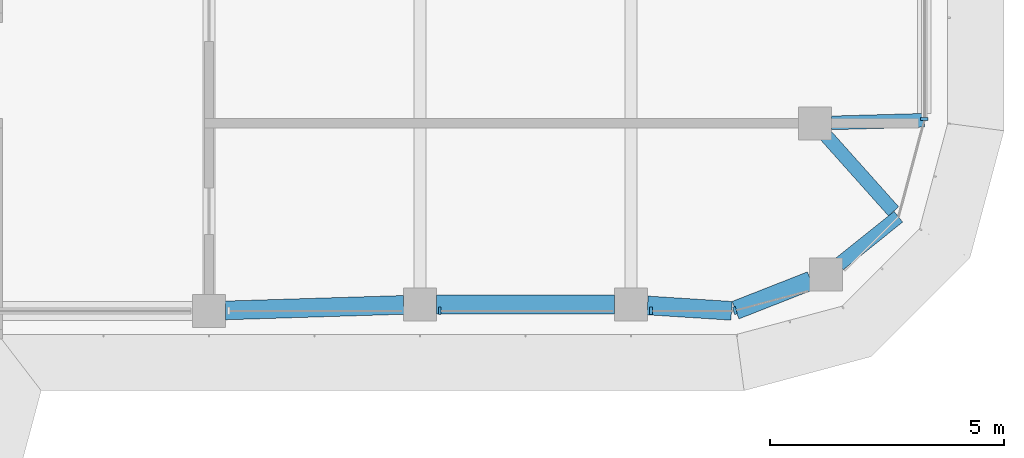
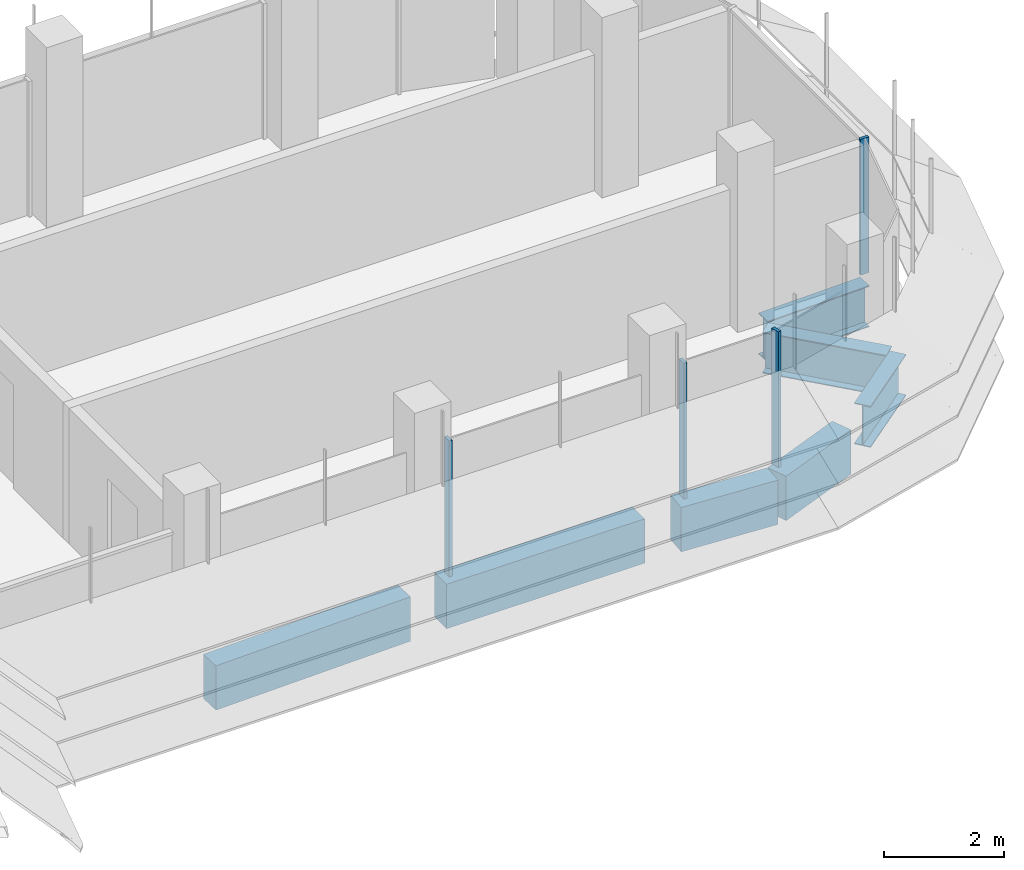
# One storey, part 5 of 19: 7 beams, 4 members, 3 elements without a shape of their own.
"""IFC4 building model written with IfcOpenShell, lengths in metres."""

from ifc_helpers import new_model, si_unit, direction, frame, origin, origin_2d, place, context, subcontext, project, spatial, polyline, rectangle, i_section, outline, extrude, source, transform, mapped, material, material_profile, profile_set, type_object, element, aggregate, save


model = new_model("IFC4")

# Units and contexts
model_context = context("Model", 3, precision=1e-05, world=origin(), true_north=direction((0.0, 1.0)))
body_context = subcontext(model_context, "Body", "Model", "MODEL_VIEW")
ifc_project = project(units=[si_unit("LENGTHUNIT", "METRE"), si_unit("AREAUNIT", "SQUARE_METRE"), si_unit("VOLUMEUNIT", "CUBIC_METRE"), si_unit("PLANEANGLEUNIT", "RADIAN"), si_unit("MASSUNIT", "GRAM", prefix="KILO")], contexts=[model_context])

# Site, building, storey
site_placement = place(None, origin())
site = spatial("IfcSite", under=ifc_project, at=site_placement, CompositionType="ELEMENT")
building_placement = place(site_placement, origin())
building = spatial("IfcBuilding", under=site, at=building_placement, Name="Zarbagh Exchange Tower", CompositionType="ELEMENT")
storey_placement = place(building_placement, frame((0.0, 0.0, 203.0)))
storey = spatial("IfcBuildingStorey", under=building, at=storey_placement, Name="L49", CompositionType="ELEMENT", Elevation=203.0)

# Beams
ifc_material_1 = material(Name="Steel ASTM A992 Gr 50", Category="steel")
ifc_material_profile_1 = material_profile(ifc_material_1, i_section(OverallWidth=0.2919921875, OverallDepth=0.835693359375, WebThickness=0.013916015625, FlangeThickness=0.018798828125, at=origin_2d()), Name="W33X118")
ifc_profile_set_1 = profile_set([ifc_material_profile_1], Name="Steel ASTM A992 Gr 50")
beam_type_1 = type_object("IfcBeamType", Name="Floor girder W33X118", PredefinedType="BEAM", material=ifc_profile_set_1)
beam_1_placement = place(storey_placement, frame((31.0, -2.18408203125, -0.56787109375), z_axis=(-0.999601581355, -0.028225494714, 0.0), x_axis=(0.028225494714, -0.999601581355, 0.0)))
element("IfcBeam", 1, at=beam_1_placement, inside=storey, type_object=beam_type_1, Name="Steel girder", PredefinedType="BEAM", context=body_context, shape_type="SweptSolid", body=[
    extrude(i_section(OverallWidth=0.2919921875, OverallDepth=0.835693359375, WebThickness=0.013916015625, FlangeThickness=0.018798828125, at=origin_2d()), origin(), (0.0, 0.0, 1.0), 1.980712890625),
])
beam_2_placement = place(storey_placement, frame((28.9033203125, -2.510986328125, -0.56787109375), z_axis=(0.666194955403, -0.745777635355, 0.0), x_axis=(0.745777635355, 0.666194955403, 0.0)))
element("IfcBeam", 2, at=beam_2_placement, inside=storey, type_object=beam_type_1, Name="Steel girder", PredefinedType="BEAM", context=body_context, shape_type="SweptSolid", body=[
    extrude(i_section(OverallWidth=0.2919921875, OverallDepth=0.835693359375, WebThickness=0.013916015625, FlangeThickness=0.018798828125, at=origin_2d()), origin(), (0.0, 0.0, 1.0), 2.165771484375),
])
beam_3_placement = place(storey_placement, frame((30.44873046875, -4.2412109375, -0.56787109375), z_axis=(-0.780619385558, -0.625006699877, 0.0), x_axis=(0.625006699877, -0.780619385558, 0.0)))
element("IfcBeam", 3, at=beam_3_placement, inside=storey, type_object=beam_type_1, Name="Steel girder", PredefinedType="BEAM", context=body_context, shape_type="SweptSolid", body=[
    extrude(i_section(OverallWidth=0.2919921875, OverallDepth=0.835693359375, WebThickness=0.013916015625, FlangeThickness=0.018798828125, at=origin_2d()), origin(), (0.0, 0.0, 1.0), 1.623779296875),
])
ifc_material_2 = material(Name="Concrete C50/60", Category="concrete")
ifc_material_profile_2 = material_profile(ifc_material_2, rectangle(XDim=0.39990234375, YDim=0.89990234375, at=origin_2d()), Name="RC spandrel beam 400 x 900 C50/60")
ifc_profile_set_2 = profile_set([ifc_material_profile_2], Name="Concrete C50/60")
beam_type_2 = type_object("IfcBeamType", Name="RC spandrel beam 400 x 900 C50/60", PredefinedType="SPANDREL", material=ifc_profile_set_2)
beam_4_placement = place(storey_placement, frame((28.582275390625, -5.602783203125, -0.60009765625), z_axis=(-0.930818525178, -0.365481700207, 0.0), x_axis=(0.365481700207, -0.930818525178, 0.0)))
element("IfcBeam", 4, at=beam_4_placement, inside=storey, type_object=beam_type_2, Name="RC spandrel beam", PredefinedType="SPANDREL", context=body_context, shape_type="SweptSolid", body=[
    extrude(rectangle(XDim=0.39990234375, YDim=0.89990234375, at=origin_2d()), origin(), (0.0, 0.0, 1.0), 1.72607421875),
])
beam_5_placement = place(storey_placement, frame((26.8896484375, -6.247314453125, -0.60009765625), z_axis=(-0.997943601797, 0.064098109429, 0.0), x_axis=(-0.064098109429, -0.997943601797, 0.0)))
element("IfcBeam", 5, at=beam_5_placement, inside=storey, type_object=beam_type_2, Name="RC spandrel beam", PredefinedType="SPANDREL", context=body_context, shape_type="SweptSolid", body=[
    extrude(rectangle(XDim=0.39990234375, YDim=0.89990234375, at=origin_2d()), origin(), (0.0, 0.0, 1.0), 1.7939453125),
])
beam_6_placement = place(storey_placement, frame((24.39990234375, -6.110107421875, -0.60009765625), z_axis=(-1.0, 0.0, 0.0), x_axis=(0.0, -1.0, 0.0)))
element("IfcBeam", 6, at=beam_6_placement, inside=storey, type_object=beam_type_2, Name="RC spandrel beam", PredefinedType="SPANDREL", context=body_context, shape_type="SweptSolid", body=[
    extrude(rectangle(XDim=0.39990234375, YDim=0.89990234375, at=origin_2d()), origin(), (0.0, 0.0, 1.0), 3.7998046875),
])
beam_7_placement = place(storey_placement, frame((19.900146484375, -6.120849609375, -0.60009765625), z_axis=(-0.999516950199, -0.031078389046, 0.0), x_axis=(0.031078389046, -0.999516950199, 0.0)))
element("IfcBeam", 7, at=beam_7_placement, inside=storey, type_object=beam_type_2, Name="RC spandrel beam", PredefinedType="SPANDREL", context=body_context, shape_type="SweptSolid", body=[
    extrude(rectangle(XDim=0.39990234375, YDim=0.89990234375, at=origin_2d()), origin(), (0.0, 0.0, 1.0), 3.80224609375),
])

# Curtain wall, members
ifc_material_3 = material(Name="Anodised aluminium frame and glazing", Category="aluminium")
curtain_wall_type = type_object("IfcCurtainWallType", Name="CWB Ribbon glazing, upper zones", PredefinedType="NOTDEFINED", material=ifc_material_3)
curtain_wall_1_placement = place(storey_placement, origin())
curtain_wall_1 = element("IfcCurtainWall", 8, at=curtain_wall_1_placement, inside=storey, type_object=curtain_wall_type, Name="CWB08 curtain wall", PredefinedType="NOTDEFINED")
ifc_material_4 = material(Name="Anodised aluminium frame", Category="aluminium")
member_type = type_object("IfcMemberType", Name="MUB Mullion, anodised aluminium frame", PredefinedType="MULLION", material=ifc_material_4)
shared_shape = source(origin(), body_context, "Body", "SweptSolid", [
    extrude(outline(polyline([(0.0, -0.080078125), (0.06005859375, -0.080078125), (0.06005859375, 0.080078125), (0.0, 0.080078125), (0.0, -0.080078125)])), origin(), (0.0, 0.0, 1.0), 2.75),
])
placement = place(storey_placement, origin())
member_1 = element("IfcMember", 9, at=placement, type_object=member_type, Name="CWB08 mullion 3.1", PredefinedType="MULLION", context=body_context, shape_type="MappedRepresentation", body=[
    mapped(shared_shape, transform((20.64013671875, -6.25, 0.0), x_axis=(1.0, 0.0, 0.0), y_axis=(0.0, 1.0, 0.0), z_axis=(0.0, 0.0, 1.0))),
])
member_2 = element("IfcMember", 10, at=placement, type_object=member_type, Name="CWB08 mullion 4.1", PredefinedType="MULLION", context=body_context, shape_type="MappedRepresentation", body=[
    mapped(shared_shape, transform((25.14013671875, -6.25, 0.0), x_axis=(1.0, 0.0, 0.0), y_axis=(0.0, 1.0, 0.0), z_axis=(0.0, 0.0, 1.0))),
])
aggregate(curtain_wall_1, [member_1, member_2])

# Curtain wall, member
curtain_wall_2_placement = place(storey_placement, origin())
curtain_wall_2 = element("IfcCurtainWall", 11, at=curtain_wall_2_placement, inside=storey, type_object=curtain_wall_type, Name="CWB09 curtain wall", PredefinedType="NOTDEFINED")
member_3 = element("IfcMember", 12, at=placement, type_object=member_type, Name="CWB09 mullion 1.1", PredefinedType="MULLION", context=body_context, shape_type="MappedRepresentation", body=[
    mapped(shared_shape, transform((26.93408203125, -6.25, 0.0), x_axis=(0.965924289636, 0.258824779902, 0.0), y_axis=(-0.258824779902, 0.965924289636, 0.0), z_axis=(0.0, 0.0, 1.0))),
])
aggregate(curtain_wall_2, [member_3])

curtain_wall_3_placement = place(storey_placement, origin())
curtain_wall_3 = element("IfcCurtainWall", 13, at=curtain_wall_3_placement, inside=storey, type_object=curtain_wall_type, Name="CWB12 curtain wall", PredefinedType="NOTDEFINED")
member_4 = element("IfcMember", 14, at=placement, type_object=member_type, Name="CWB12 mullion 1.1", PredefinedType="MULLION", context=body_context, shape_type="MappedRepresentation", body=[
    mapped(shared_shape, transform((31.0, -2.18408203125, 0.0), x_axis=(0.0, 1.0, 0.0), y_axis=(-1.0, 0.0, 0.0), z_axis=(0.0, 0.0, 1.0))),
])
aggregate(curtain_wall_3, [member_4])

save(model, "model.ifc")
